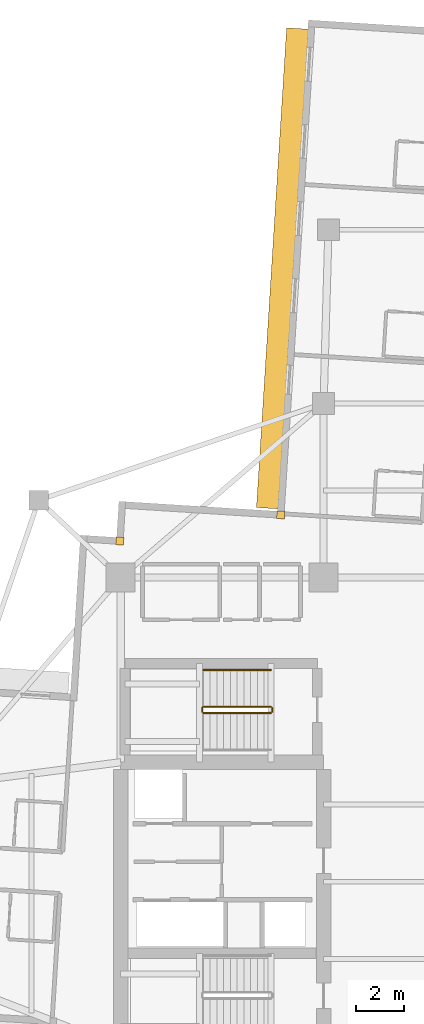
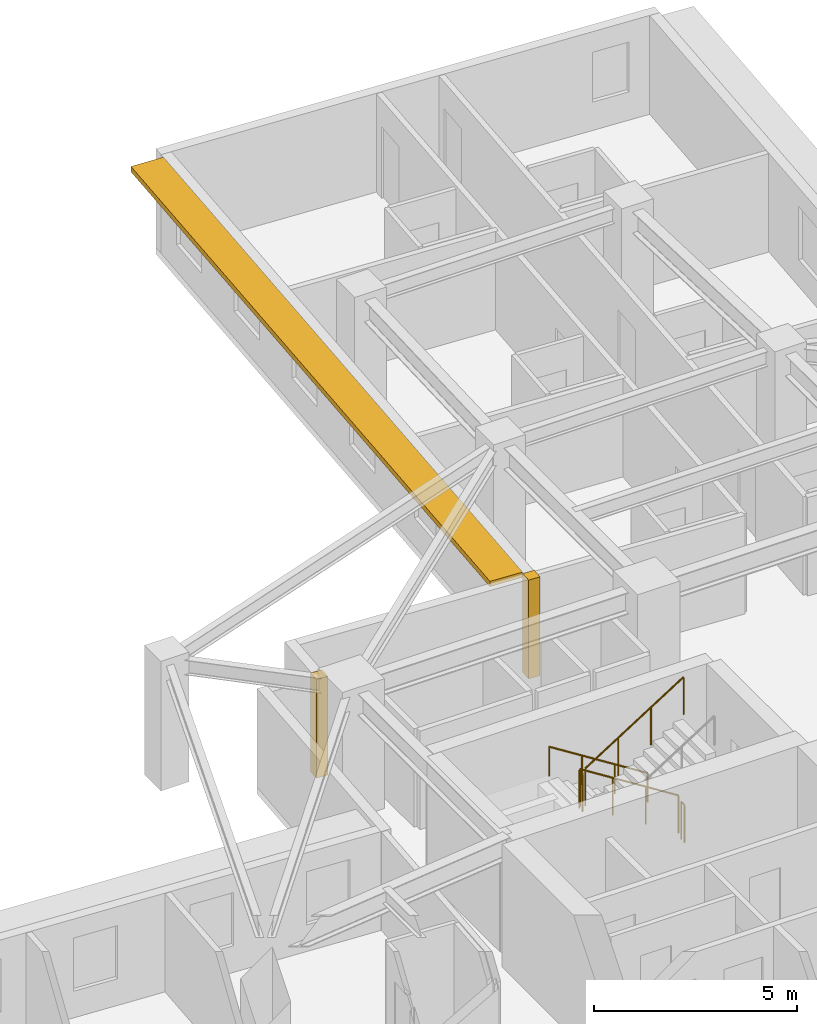
# One storey, part 13 of 14: 5 railings, 2 coverings, 1 shading device.
"""IFC4 building model written with IfcOpenShell, lengths in metres."""

from ifc_helpers import new_model, si_unit, direction, frame, origin, origin_2d, place, context, subcontext, project, spatial, rectangle, circle, extrude, material, layer, layer_set, type_object, element, save


model = new_model("IFC4")

# Units and contexts
model_context = context("Model", 3, precision=1e-05, world=origin(), true_north=direction((0.0, 1.0)))
body_context = subcontext(model_context, "Body", "Model", "MODEL_VIEW")
ifc_project = project(units=[si_unit("LENGTHUNIT", "METRE"), si_unit("AREAUNIT", "SQUARE_METRE"), si_unit("VOLUMEUNIT", "CUBIC_METRE"), si_unit("PLANEANGLEUNIT", "RADIAN"), si_unit("MASSUNIT", "GRAM", prefix="KILO")], contexts=[model_context])

# Site, building, storey
site_placement = place(None, origin())
site = spatial("IfcSite", under=ifc_project, at=site_placement, CompositionType="ELEMENT")
building_placement = place(site_placement, origin())
building = spatial("IfcBuilding", under=site, at=building_placement, Name="Qingluan Cross Belvedere", CompositionType="ELEMENT")
storey_placement = place(building_placement, frame((0.0, 0.0, 160.5)))
storey = spatial("IfcBuildingStorey", under=building, at=storey_placement, Name="L40", CompositionType="ELEMENT", Elevation=160.5)

# Coverings
ifc_material_1 = material(Name="Precast concrete C45", Category="concrete")
ifc_layer_1 = layer(ifc_material_1, 0.1201171875, Name="ConcreteSpandrelCladding_120")
ifc_layer_set_1 = layer_set([ifc_layer_1], Name="Precast concrete C45")
covering_type = type_object("IfcCoveringType", Name="ConcreteSpandrelCladding_120", PredefinedType="CLADDING", material=ifc_layer_set_1)
for number, where, z_axis, x_axis, name in (
    (1, (-12.438720703125, 14.10888671875, 0.0), (0.0, 0.0, 1.0), (0.998026728428, -0.062790519529, 0.0), "Corner closure L40-NW1"),
    (2, (-5.77734375, 15.192626953125, 0.0), (0.0, 0.0, 1.0), (0.998026728428, -0.062790519529, 0.0), "Corner closure L40-NW2"),
):
    element("IfcCovering", number, at=place(storey_placement, frame(where, z_axis=z_axis, x_axis=x_axis)), inside=storey, type_object=covering_type, Name=name, PredefinedType="CLADDING", context=body_context, shape_type="SweptSolid", body=[
        extrude(rectangle(XDim=0.320068359375, YDim=0.320068359375, at=origin_2d()), origin(), (0.0, 0.0, 1.0), 2.969970703125),
    ])

# Shading device
ifc_material_2 = material(Name="Precast concrete C45", Category="concrete")
ifc_layer_2 = layer(ifc_material_2, 0.159912109375, Name="ConcreteSunshadeBand_900")
ifc_layer_set_2 = layer_set([ifc_layer_2], Name="Precast concrete C45")
shading_device_type = type_object("IfcShadingDeviceType", Name="ConcreteSunshadeBand_900", PredefinedType="USERDEFINED", material=ifc_layer_set_2)
shading_device_placement = place(storey_placement, frame((-5.70654296875, 25.3984375, 2.7900390625), z_axis=(0.0, 0.0, 1.0), x_axis=(-0.062786203294, -0.998026999973, 0.0)))
element("IfcShadingDevice", 3, at=shading_device_placement, inside=storey, type_object=shading_device_type, Name="Concrete SUNSHADE L40-NB", ObjectType="SUNSHADE", PredefinedType="USERDEFINED", context=body_context, shape_type="SweptSolid", body=[
    extrude(rectangle(XDim=19.89990234375, YDim=0.89990234375, at=origin_2d()), origin(), (0.0, 0.0, 1.0), 0.159912109375),
])

# Railings
ifc_material_3 = material(Name="Brushed stainless steel tubular handrail", Category="steel")
railing_type_1 = type_object("IfcRailingType", Name="StairPitchHandrail_900", PredefinedType="HANDRAIL", material=ifc_material_3)
railing_1_placement = place(storey_placement, frame((-6.179931640625, 8.77001953125, 0.17724609375)))
element("IfcRailing", 4, at=railing_1_placement, inside=storey, type_object=railing_type_1, Name="L40 ST3 stair handrail 1", PredefinedType="HANDRAIL", context=body_context, shape_type="SweptSolid", body=[
    extrude(circle(Radius=0.02392578125, at=origin_2d()), frame((0.0, 0.0, 0.8759765625), z_axis=(-0.844908973607, 0.0, 0.534910110503), x_axis=(0.0, -1.0, 0.0)), (0.0, 0.0, 1.0), 3.31396484375),
    extrude(circle(Radius=0.02099609375, at=origin_2d()), origin(), (0.0, 0.0, 1.0), 0.851806640625),
    extrude(circle(Radius=0.02099609375, at=origin_2d()), frame((-0.933349609375, 0.0, 0.5908203125)), (0.0, 0.0, 1.0), 0.851806640625),
    extrude(circle(Radius=0.02099609375, at=origin_2d()), frame((-1.86669921875, 0.0, 1.181884765625)), (0.0, 0.0, 1.0), 0.851806640625),
    extrude(circle(Radius=0.02099609375, at=origin_2d()), frame((-2.800048828125, 0.0, 1.772705078125)), (0.0, 0.0, 1.0), 0.851806640625),
])
ifc_material_4 = material(Name="Painted steel stair well guard", Category="steel")
railing_type_2 = type_object("IfcRailingType", Name="StairWellGuard_1150", PredefinedType="BALUSTRADE", material=ifc_material_4)
railing_2_placement = place(storey_placement, frame((-6.179931640625, 7.25, 0.17724609375)))
element("IfcRailing", 5, at=railing_2_placement, inside=storey, type_object=railing_type_2, Name="L40 ST3 stair guard 1", PredefinedType="BALUSTRADE", context=body_context, shape_type="SweptSolid", body=[
    extrude(circle(Radius=0.02392578125, at=origin_2d()), frame((0.0, 0.0, 1.1259765625), z_axis=(-0.844908973607, 0.0, 0.534910110503), x_axis=(0.0, -1.0, 0.0)), (0.0, 0.0, 1.0), 3.31396484375),
    extrude(circle(Radius=0.02099609375, at=origin_2d()), origin(), (0.0, 0.0, 1.0), 1.101806640625),
    extrude(circle(Radius=0.02099609375, at=origin_2d()), frame((-0.933349609375, 0.0, 0.5908203125)), (0.0, 0.0, 1.0), 1.101806640625),
    extrude(circle(Radius=0.02099609375, at=origin_2d()), frame((-1.86669921875, 0.0, 1.181884765625)), (0.0, 0.0, 1.0), 1.101806640625),
    extrude(circle(Radius=0.02099609375, at=origin_2d()), frame((-2.800048828125, 0.0, 1.772705078125)), (0.0, 0.0, 1.0), 1.101806640625),
])
railing_3_placement = place(storey_placement, frame((-9.030029296875, 7.199951171875, 1.949951171875)))
element("IfcRailing", 6, at=railing_3_placement, inside=storey, type_object=railing_type_2, Name="L40 ST3 stair guard 2", PredefinedType="BALUSTRADE", context=body_context, shape_type="SweptSolid", body=[
    extrude(circle(Radius=0.02392578125, at=origin_2d()), frame((0.0, 0.0, 1.1259765625), z_axis=(0.0, -1.0, 0.0), x_axis=(1.0, 0.0, 0.0)), (0.0, 0.0, 1.0), 0.159912109375),
    extrude(circle(Radius=0.02099609375, at=origin_2d()), origin(), (0.0, 0.0, 1.0), 1.101806640625),
    extrude(circle(Radius=0.02099609375, at=origin_2d()), frame((0.0, -0.159912109375, 0.0)), (0.0, 0.0, 1.0), 1.101806640625),
])
railing_4_placement = place(storey_placement, frame((-8.97998046875, 6.989990234375, 2.127197265625)))
element("IfcRailing", 7, at=railing_4_placement, inside=storey, type_object=railing_type_2, Name="L40 ST3 stair guard 3", PredefinedType="BALUSTRADE", context=body_context, shape_type="SweptSolid", body=[
    extrude(circle(Radius=0.02392578125, at=origin_2d()), frame((0.0, 0.0, 1.1259765625), z_axis=(0.844908973607, 0.0, 0.534910110503), x_axis=(0.0, 1.0, 0.0)), (0.0, 0.0, 1.0), 3.31396484375),
    extrude(circle(Radius=0.02099609375, at=origin_2d()), origin(), (0.0, 0.0, 1.0), 1.101806640625),
    extrude(circle(Radius=0.02099609375, at=origin_2d()), frame((0.933349609375, 0.0, 0.5908203125)), (0.0, 0.0, 1.0), 1.101806640625),
    extrude(circle(Radius=0.02099609375, at=origin_2d()), frame((1.86669921875, 0.0, 1.181884765625)), (0.0, 0.0, 1.0), 1.101806640625),
    extrude(circle(Radius=0.02099609375, at=origin_2d()), frame((2.800048828125, 0.0, 1.772705078125)), (0.0, 0.0, 1.0), 1.101806640625),
])
railing_5_placement = place(storey_placement, frame((-6.1298828125, 7.199951171875, 0.0)))
element("IfcRailing", 8, at=railing_5_placement, inside=storey, type_object=railing_type_2, Name="L40 ST3 stair guard 4", PredefinedType="BALUSTRADE", context=body_context, shape_type="SweptSolid", body=[
    extrude(circle(Radius=0.02392578125, at=origin_2d()), frame((0.0, 0.0, 1.1259765625), z_axis=(0.0, -1.0, 0.0), x_axis=(1.0, 0.0, 0.0)), (0.0, 0.0, 1.0), 0.159912109375),
    extrude(circle(Radius=0.02099609375, at=origin_2d()), origin(), (0.0, 0.0, 1.0), 1.101806640625),
    extrude(circle(Radius=0.02099609375, at=origin_2d()), frame((0.0, -0.159912109375, 0.0)), (0.0, 0.0, 1.0), 1.101806640625),
])

save(model, "model.ifc")
